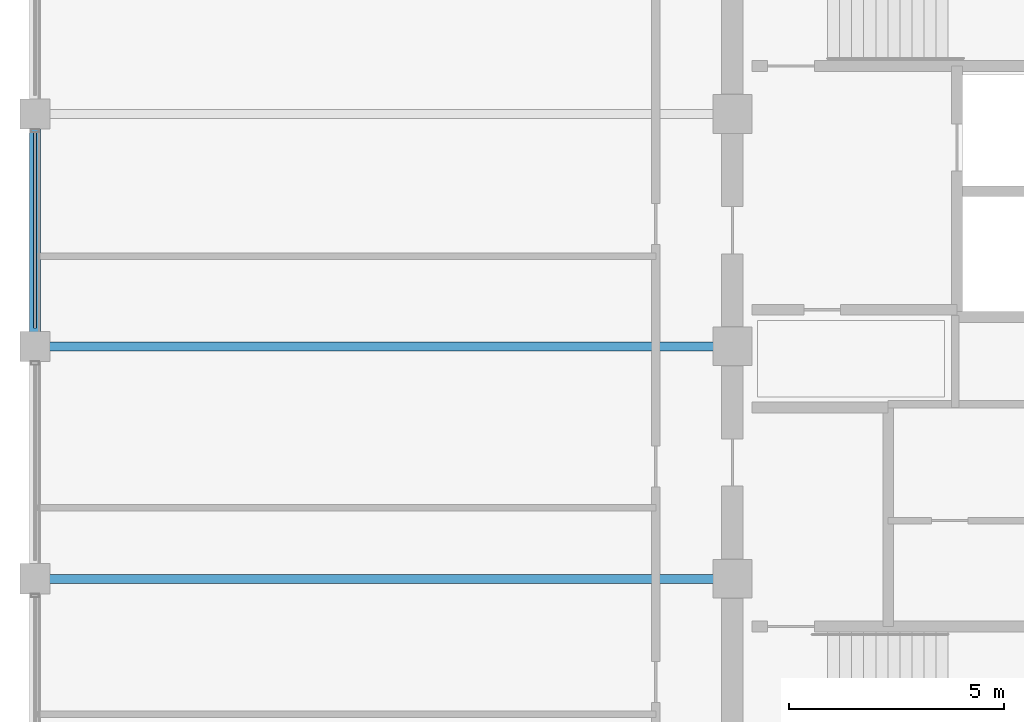
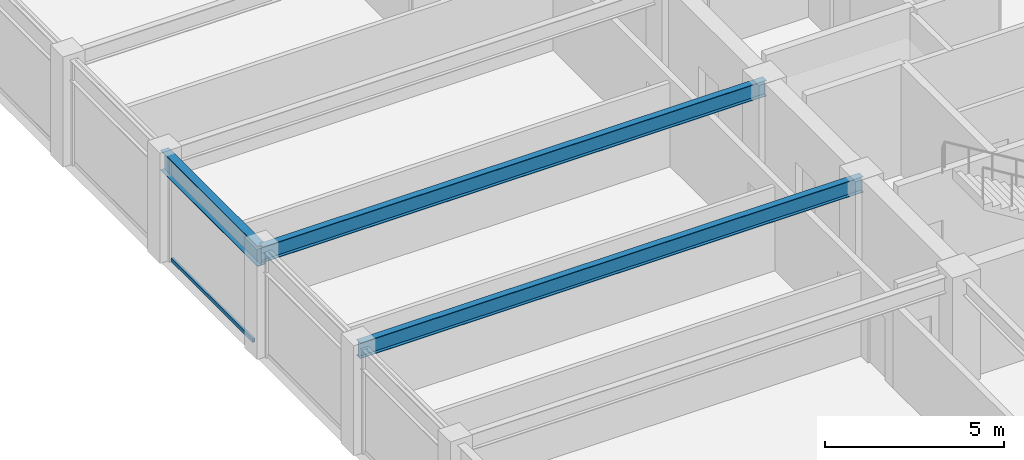
# One storey, part 9 of 34: 3 beams, 1 member, 1 element without a shape of its own.
"""IFC4 building model written with IfcOpenShell, lengths in metres."""

import ifcopenshell
import ifcopenshell.guid

model = None  # the IFC model being written
_history = None  # IfcOwnerHistory: only IFC2X3 demands one
_inside = {}  # id of a spatial element -> (the spatial element, [elements in it])
_under = {}  # id of a project, library or spatial element -> (it, [spatial elements below it])
_declared = {}  # id of a project -> (the project, [libraries it declares])
_typed = {}  # id of a type object -> (the type object, [elements of that type])
_made_of = {}  # id of a material, layer set ... -> (it, [elements and type objects made of it])


def new_model(schema):
    """Start an empty IFC model of exactly this schema.

    Asked for "IFC4X3", IfcOpenShell would pick the latest addendum, in which some entities
    have other attributes; the version numbers below select the first issue.
    IFC2X3 requires an IfcOwnerHistory on every rooted entity: one is made here for all.
    """
    global model, _history
    if schema == "IFC4X3":
        model = ifcopenshell.file(schema_version=(4, 3, 0, 0))
    else:
        model = ifcopenshell.file(schema=schema)
    _inside.clear()
    _under.clear()
    _declared.clear()
    _typed.clear()
    _made_of.clear()
    _history = None
    if model.schema == "IFC2X3":
        org = make("IfcOrganization", Name="unknown")
        user = make(
            "IfcPersonAndOrganization",
            ThePerson=make("IfcPerson", FamilyName="unknown"),
            TheOrganization=org,
        )
        app = make(
            "IfcApplication",
            ApplicationDeveloper=org,
            Version="unknown",
            ApplicationFullName="unknown",
            ApplicationIdentifier="unknown",
        )
        _history = make(
            "IfcOwnerHistory",
            OwningUser=user,
            OwningApplication=app,
            ChangeAction="ADDED",
            CreationDate=0,
        )
    return model


def make(cls, **values):
    """One entity of the class cls with the attributes given. An attribute that is None is left unset."""
    return model.create_entity(
        cls, **{name: value for name, value in values.items() if value is not None}
    )


def rooted(cls, **values):
    """An entity with a GlobalId (a new one), such as an element, a storey or a relation."""
    return make(cls, GlobalId=ifcopenshell.guid.new(), OwnerHistory=_history, **values)


def si_unit(unit_type, name, prefix=None):
    """IfcSIUnit, for example si_unit("LENGTHUNIT", "METRE", prefix="MILLI")."""
    return make("IfcSIUnit", UnitType=unit_type, Prefix=prefix, Name=name)


def assignment(units):
    """IfcUnitAssignment: the units of a project."""
    return None if units is None else make("IfcUnitAssignment", Units=units)


def point(xyz):
    """IfcCartesianPoint."""
    return None if xyz is None else make("IfcCartesianPoint", Coordinates=xyz)


def direction(xyz):
    """IfcDirection."""
    return None if xyz is None else make("IfcDirection", DirectionRatios=xyz)


def frame(location, z_axis=None, x_axis=None):
    """IfcAxis2Placement3D, a coordinate frame: its origin and axes. An axis left out is left unset."""
    return make(
        "IfcAxis2Placement3D",
        Location=point(location),
        Axis=direction(z_axis),
        RefDirection=direction(x_axis),
    )


def frame_2d(location, x_axis=None):
    """IfcAxis2Placement2D, a coordinate frame in the plane: its origin and x axis."""
    return make(
        "IfcAxis2Placement2D", Location=point(location), RefDirection=direction(x_axis)
    )


def origin():
    """The frame at (0, 0, 0) with its axes left unset."""
    return frame((0.0, 0.0, 0.0))


def origin_2d():
    """The frame at (0, 0) in the plane with its x axis left unset."""
    return frame_2d((0.0, 0.0))


def place(relative_to, where):
    """IfcLocalPlacement: puts the frame where relative to a parent placement (None: the world)."""
    return make(
        "IfcLocalPlacement", PlacementRelTo=relative_to, RelativePlacement=where
    )


def context(
    kind, dimensions, precision=None, world=None, true_north=None, identifier=None
):
    """IfcGeometricRepresentationContext, for example the 3D "Model" context."""
    return make(
        "IfcGeometricRepresentationContext",
        ContextIdentifier=identifier,
        ContextType=kind,
        CoordinateSpaceDimension=dimensions,
        Precision=precision,
        WorldCoordinateSystem=world,
        TrueNorth=true_north,
    )


def subcontext(parent, identifier, kind, view, scale=None):
    """IfcGeometricRepresentationSubContext, for example "Body" below "Model"."""
    return make(
        "IfcGeometricRepresentationSubContext",
        ContextIdentifier=identifier,
        ContextType=kind,
        ParentContext=parent,
        TargetScale=scale,
        TargetView=view,
    )


def project(units=None, contexts=None):
    """IfcProject with its units and contexts."""
    return rooted(
        "IfcProject",
        Name="project",
        RepresentationContexts=contexts,
        UnitsInContext=assignment(units),
    )


def spatial(cls, under=None, at=None, **own):
    """A site, building, storey or space (cls), placed at a placement, below another one or the project."""
    s = rooted(cls, ObjectPlacement=at, **own)
    if under is not None:
        _under.setdefault(under.id(), (under, []))[1].append(s)
    return s


def profile(cls, at=None, kind="AREA", **sizes):
    """A parametric profile (cls). Its sizes go by their IFC names, for example OverallWidth=200.0."""
    return make(cls, ProfileType=kind, Position=at, **sizes)


def hollow_rectangle(**sizes):
    """IfcRectangleHollowProfileDef."""
    return profile("IfcRectangleHollowProfileDef", **sizes)


def i_section(**sizes):
    """IfcIShapeProfileDef."""
    return profile("IfcIShapeProfileDef", **sizes)


def extrude(swept, where, along, depth):
    """IfcExtrudedAreaSolid: the profile swept, set in the frame where, extruded along a direction by depth."""
    return make(
        "IfcExtrudedAreaSolid",
        SweptArea=swept,
        Position=where,
        ExtrudedDirection=direction(along),
        Depth=depth,
    )


def shape(context_of_items, identifier, shape_type, items):
    """IfcShapeRepresentation: the items that make up one representation, for example the "Body"."""
    return make(
        "IfcShapeRepresentation",
        ContextOfItems=context_of_items,
        RepresentationIdentifier=identifier,
        RepresentationType=shape_type,
        Items=items,
    )


def material(Name=None, Category=None):
    """IfcMaterial."""
    return make("IfcMaterial", Name=Name, Category=Category)


def layer(
    of_material, thickness, ventilated=None, Name=None, Category=None, Priority=None
):
    """IfcMaterialLayer: one layer of a wall or slab, of a material (None: an air gap)."""
    return make(
        "IfcMaterialLayer",
        Material=of_material,
        LayerThickness=thickness,
        IsVentilated=ventilated,
        Name=Name,
        Category=Category,
        Priority=Priority,
    )


def layer_set(layers, Name=None):
    """IfcMaterialLayerSet."""
    return make("IfcMaterialLayerSet", MaterialLayers=layers, LayerSetName=Name)


def material_profile(
    of_material, cross_section, Name=None, Category=None, Priority=None
):
    """IfcMaterialProfile: a cross section and its material."""
    return make(
        "IfcMaterialProfile",
        Name=Name,
        Material=of_material,
        Profile=cross_section,
        Priority=Priority,
        Category=Category,
    )


def profile_set(profiles, Name=None, composite=None):
    """IfcMaterialProfileSet."""
    return make(
        "IfcMaterialProfileSet",
        Name=Name,
        MaterialProfiles=profiles,
        CompositeProfile=composite,
    )


def made_of(thing, what):
    """Note that an element or type object is made of a material, layer set ...; save() writes the relation."""
    if what is not None:
        _made_of.setdefault(what.id(), (what, []))[1].append(thing)
    return thing


def type_object(cls, material=None, **own):
    """A type object (cls), such as IfcWallType, which elements share."""
    return made_of(rooted(cls, **own), material)


def element(
    cls,
    number,
    at=None,
    inside=None,
    cuts=None,
    type_object=None,
    material=None,
    context=None,
    identifier="Body",
    shape_type=None,
    held_by="IfcProductDefinitionShape",
    body=None,
    shapes=None,
    **own,
):
    """One element of the class cls, such as IfcWall. Its Tag is "e" and its number.

    at: its placement. inside: the storey or other place that contains it. cuts: it is an
    opening in that element (IfcRelVoidsElement). A single representation is given by context,
    identifier, shape_type and body (its items); several are given by shapes. held_by: the class
    of the entity that holds the representations. save() writes the other relations.
    """
    e = rooted(cls, Tag="e%d" % number, ObjectPlacement=at, **own)
    if body is not None:
        shapes = [shape(context, identifier, shape_type, body)]
    if shapes is not None:
        e.Representation = make(held_by, Representations=shapes)
    if inside is not None:
        _inside.setdefault(inside.id(), (inside, []))[1].append(e)
    if cuts is not None:
        rooted(
            "IfcRelVoidsElement", RelatingBuildingElement=cuts, RelatedOpeningElement=e
        )
    if type_object is not None:
        _typed.setdefault(type_object.id(), (type_object, []))[1].append(e)
    return made_of(e, material)


def aggregate(whole, parts):
    """IfcRelAggregates: a whole, such as a stair, and the parts it consists of."""
    return rooted("IfcRelAggregates", RelatingObject=whole, RelatedObjects=parts)


def save(model, path):
    """Write the relations noted so far, then the file.

    IfcRelAggregates (storeys below a building ...), IfcRelContainedInSpatialStructure (elements
    in a storey), IfcRelDefinesByType, IfcRelAssociatesMaterial and IfcRelDeclares: one each for
    every whole, place, type object, material and project.
    """
    for whole, parts in _under.values():
        aggregate(whole, parts)
    for where, things in _inside.values():
        rooted(
            "IfcRelContainedInSpatialStructure",
            RelatedElements=things,
            RelatingStructure=where,
        )
    for kind, things in _typed.values():
        rooted("IfcRelDefinesByType", RelatedObjects=things, RelatingType=kind)
    for what, things in _made_of.values():
        rooted("IfcRelAssociatesMaterial", RelatedObjects=things, RelatingMaterial=what)
    for by, libraries in _declared.values():
        rooted("IfcRelDeclares", RelatingContext=by, RelatedDefinitions=libraries)
    model.write(path)


model = new_model("IFC4")

# Units and contexts
model_context = context("Model", 3, precision=1e-05, world=origin(), true_north=direction((0.0, 1.0)))
body_context = subcontext(model_context, "Body", "Model", "MODEL_VIEW")
ifc_project = project(units=[si_unit("LENGTHUNIT", "METRE"), si_unit("AREAUNIT", "SQUARE_METRE"), si_unit("VOLUMEUNIT", "CUBIC_METRE"), si_unit("PLANEANGLEUNIT", "RADIAN"), si_unit("MASSUNIT", "GRAM", prefix="KILO")], contexts=[model_context])

# Site, building, storey
site_placement = place(None, origin())
site = spatial("IfcSite", under=ifc_project, at=site_placement, CompositionType="ELEMENT")
building_placement = place(site_placement, origin())
building = spatial("IfcBuilding", under=site, at=building_placement, Name="Surkhivell Harbour Commons", CompositionType="ELEMENT")
storey_placement = place(building_placement, frame((0.0, 0.0, 258.75)))
storey = spatial("IfcBuildingStorey", under=building, at=storey_placement, Name="L67", CompositionType="ELEMENT", Elevation=258.75)

# Beams
ifc_material_1 = material(Name="Steel S355", Category="steel")
ifc_material_profile_1 = material_profile(ifc_material_1, i_section(OverallWidth=0.2099609375, OverallDepth=0.537109375, WebThickness=0.0107421875, FlangeThickness=0.017333984375, at=origin_2d()), Name="UB533x210x101")
ifc_profile_set_1 = profile_set([ifc_material_profile_1], Name="Steel S355")
beam_type_1 = type_object("IfcBeamType", Name="BM-GRD-533B", PredefinedType="BEAM", material=ifc_profile_set_1)
for number, where, z_axis, x_axis, name in (
    (1, (-27.0, -5.39990234375, 3.301513671875), (1.0, 0.0, 0.0), (0.0, 1.0, 0.0), "L67 Floor Girder (-27.0,-5.4)"),
    (2, (-27.0, 0.0, 3.301513671875), (1.0, 0.0, 0.0), (0.0, 1.0, 0.0), "L67 Floor Girder (-27.0,0.0)"),
):
    element("IfcBeam", number, at=place(storey_placement, frame(where, z_axis=z_axis, x_axis=x_axis)), inside=storey, type_object=beam_type_1, Name=name, PredefinedType="BEAM", context=body_context, shape_type="SweptSolid", body=[
        extrude(i_section(OverallWidth=0.2099609375, OverallDepth=0.537109375, WebThickness=0.0107421875, FlangeThickness=0.017333984375, at=origin_2d()), origin(), (0.0, 0.0, 1.0), 16.199951171875),
    ])
ifc_material_profile_2 = material_profile(ifc_material_1, i_section(OverallWidth=0.256103515625, OverallDepth=0.693115234375, WebThickness=0.014404296875, FlangeThickness=0.023681640625, at=origin_2d()), Name="UB686x254x170")
ifc_profile_set_2 = profile_set([ifc_material_profile_2], Name="Steel S355")
beam_type_2 = type_object("IfcBeamType", Name="BM-SPN-686", PredefinedType="SPANDREL", material=ifc_profile_set_2)
beam_placement = place(storey_placement, frame((-27.0, 0.0, 3.223388671875), z_axis=(0.0, 1.0, 0.0), x_axis=(-1.0, 0.0, 0.0)))
element("IfcBeam", 3, at=beam_placement, inside=storey, type_object=beam_type_2, Name="L67 Tube Spandrel (-27.0,0.0)", PredefinedType="SPANDREL", context=body_context, shape_type="SweptSolid", body=[
    extrude(i_section(OverallWidth=0.256103515625, OverallDepth=0.693115234375, WebThickness=0.014404296875, FlangeThickness=0.023681640625, at=origin_2d()), origin(), (0.0, 0.0, 1.0), 5.39990234375),
])

# Curtain wall, member
ifc_material_2 = material(Name="Anodised pale-metal aluminium and insulated glazing", Category="aluminium")
ifc_layer = layer(ifc_material_2, 0.175048828125)
ifc_layer_set = layer_set([ifc_layer], Name="Anodised pale-metal aluminium and insulated glazing")
curtain_wall_type = type_object("IfcCurtainWallType", Name="CW-SYS-Z4", PredefinedType="NOTDEFINED", material=ifc_layer_set)
curtain_wall_placement = place(storey_placement, origin())
curtain_wall = element("IfcCurtainWall", 4, at=curtain_wall_placement, inside=storey, type_object=curtain_wall_type, Name="L67 Curtain Wall CW-L67-E12S1", PredefinedType="NOTDEFINED")
ifc_material_3 = material(Name="Champagne anodised aluminium alloy 6063-T6", Category="aluminium")
ifc_material_profile_3 = material_profile(ifc_material_3, hollow_rectangle(XDim=0.070068359375, YDim=0.1298828125, WallThickness=0.00341796875, at=origin_2d()), Name="ALU-TRAN-70x130")
ifc_profile_set_3 = profile_set([ifc_material_profile_3], Name="Champagne anodised aluminium alloy 6063-T6")
member_type = type_object("IfcMemberType", Name="CWT-130", PredefinedType="USERDEFINED", material=ifc_profile_set_3)
member_placement = place(storey_placement, frame((-27.0, 4.972900390625, 0.06494140625), z_axis=(0.0, -1.0, 0.0), x_axis=(1.0, 0.0, 0.0)))
member = element("IfcMember", 5, at=member_placement, type_object=member_type, Name="CW-Z4 transom 4.1", ObjectType="TRANSOM", PredefinedType="USERDEFINED", context=body_context, shape_type="SweptSolid", body=[
    extrude(hollow_rectangle(XDim=0.070068359375, YDim=0.1298828125, WallThickness=0.00341796875, at=origin_2d()), origin(), (0.0, 0.0, 1.0), 4.5458984375),
])
aggregate(curtain_wall, [member])

save(model, "model.ifc")
